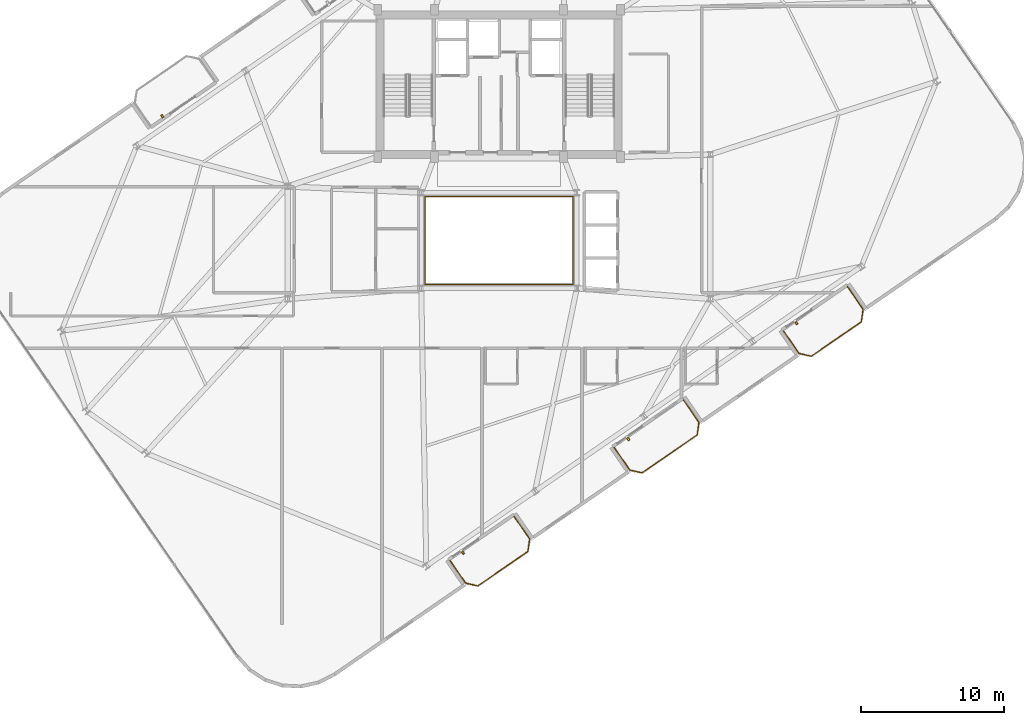
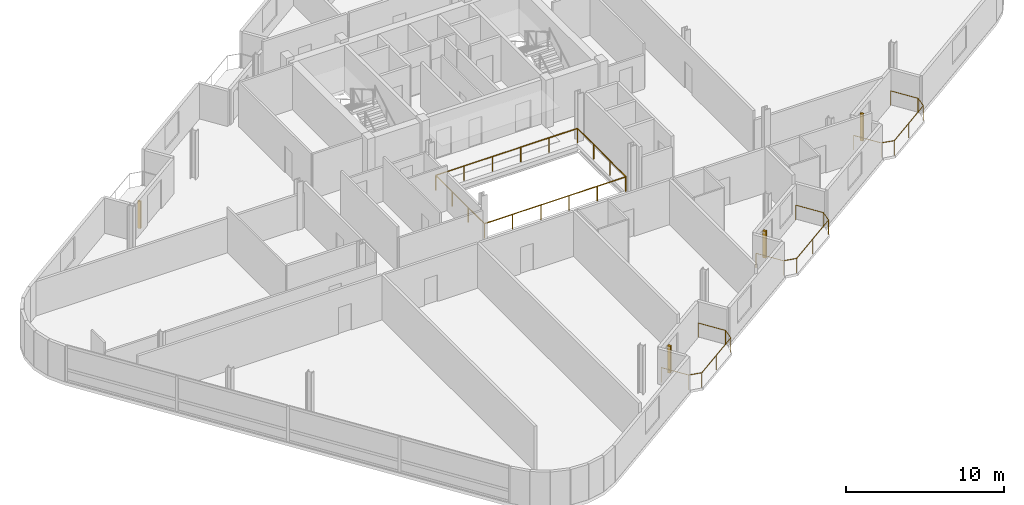
# One storey, part 19 of 21: 5 railings, 4 shading devices.
"""IFC4 building model written with IfcOpenShell, lengths in metres."""

import ifcopenshell
import ifcopenshell.guid

model = None  # the IFC model being written
_history = None  # IfcOwnerHistory: only IFC2X3 demands one
_inside = {}  # id of a spatial element -> (the spatial element, [elements in it])
_under = {}  # id of a project, library or spatial element -> (it, [spatial elements below it])
_declared = {}  # id of a project -> (the project, [libraries it declares])
_typed = {}  # id of a type object -> (the type object, [elements of that type])
_made_of = {}  # id of a material, layer set ... -> (it, [elements and type objects made of it])


def new_model(schema):
    """Start an empty IFC model of exactly this schema.

    Asked for "IFC4X3", IfcOpenShell would pick the latest addendum, in which some entities
    have other attributes; the version numbers below select the first issue.
    IFC2X3 requires an IfcOwnerHistory on every rooted entity: one is made here for all.
    """
    global model, _history
    if schema == "IFC4X3":
        model = ifcopenshell.file(schema_version=(4, 3, 0, 0))
    else:
        model = ifcopenshell.file(schema=schema)
    _inside.clear()
    _under.clear()
    _declared.clear()
    _typed.clear()
    _made_of.clear()
    _history = None
    if model.schema == "IFC2X3":
        org = make("IfcOrganization", Name="unknown")
        user = make(
            "IfcPersonAndOrganization",
            ThePerson=make("IfcPerson", FamilyName="unknown"),
            TheOrganization=org,
        )
        app = make(
            "IfcApplication",
            ApplicationDeveloper=org,
            Version="unknown",
            ApplicationFullName="unknown",
            ApplicationIdentifier="unknown",
        )
        _history = make(
            "IfcOwnerHistory",
            OwningUser=user,
            OwningApplication=app,
            ChangeAction="ADDED",
            CreationDate=0,
        )
    return model


def make(cls, **values):
    """One entity of the class cls with the attributes given. An attribute that is None is left unset."""
    return model.create_entity(
        cls, **{name: value for name, value in values.items() if value is not None}
    )


def rooted(cls, **values):
    """An entity with a GlobalId (a new one), such as an element, a storey or a relation."""
    return make(cls, GlobalId=ifcopenshell.guid.new(), OwnerHistory=_history, **values)


def si_unit(unit_type, name, prefix=None):
    """IfcSIUnit, for example si_unit("LENGTHUNIT", "METRE", prefix="MILLI")."""
    return make("IfcSIUnit", UnitType=unit_type, Prefix=prefix, Name=name)


def assignment(units):
    """IfcUnitAssignment: the units of a project."""
    return None if units is None else make("IfcUnitAssignment", Units=units)


def point(xyz):
    """IfcCartesianPoint."""
    return None if xyz is None else make("IfcCartesianPoint", Coordinates=xyz)


def direction(xyz):
    """IfcDirection."""
    return None if xyz is None else make("IfcDirection", DirectionRatios=xyz)


def frame(location, z_axis=None, x_axis=None):
    """IfcAxis2Placement3D, a coordinate frame: its origin and axes. An axis left out is left unset."""
    return make(
        "IfcAxis2Placement3D",
        Location=point(location),
        Axis=direction(z_axis),
        RefDirection=direction(x_axis),
    )


def frame_2d(location, x_axis=None):
    """IfcAxis2Placement2D, a coordinate frame in the plane: its origin and x axis."""
    return make(
        "IfcAxis2Placement2D", Location=point(location), RefDirection=direction(x_axis)
    )


def origin():
    """The frame at (0, 0, 0) with its axes left unset."""
    return frame((0.0, 0.0, 0.0))


def origin_2d():
    """The frame at (0, 0) in the plane with its x axis left unset."""
    return frame_2d((0.0, 0.0))


def place(relative_to, where):
    """IfcLocalPlacement: puts the frame where relative to a parent placement (None: the world)."""
    return make(
        "IfcLocalPlacement", PlacementRelTo=relative_to, RelativePlacement=where
    )


def context(
    kind, dimensions, precision=None, world=None, true_north=None, identifier=None
):
    """IfcGeometricRepresentationContext, for example the 3D "Model" context."""
    return make(
        "IfcGeometricRepresentationContext",
        ContextIdentifier=identifier,
        ContextType=kind,
        CoordinateSpaceDimension=dimensions,
        Precision=precision,
        WorldCoordinateSystem=world,
        TrueNorth=true_north,
    )


def subcontext(parent, identifier, kind, view, scale=None):
    """IfcGeometricRepresentationSubContext, for example "Body" below "Model"."""
    return make(
        "IfcGeometricRepresentationSubContext",
        ContextIdentifier=identifier,
        ContextType=kind,
        ParentContext=parent,
        TargetScale=scale,
        TargetView=view,
    )


def project(units=None, contexts=None):
    """IfcProject with its units and contexts."""
    return rooted(
        "IfcProject",
        Name="project",
        RepresentationContexts=contexts,
        UnitsInContext=assignment(units),
    )


def spatial(cls, under=None, at=None, **own):
    """A site, building, storey or space (cls), placed at a placement, below another one or the project."""
    s = rooted(cls, ObjectPlacement=at, **own)
    if under is not None:
        _under.setdefault(under.id(), (under, []))[1].append(s)
    return s


def profile(cls, at=None, kind="AREA", **sizes):
    """A parametric profile (cls). Its sizes go by their IFC names, for example OverallWidth=200.0."""
    return make(cls, ProfileType=kind, Position=at, **sizes)


def rectangle(**sizes):
    """IfcRectangleProfileDef."""
    return profile("IfcRectangleProfileDef", **sizes)


def circle(**sizes):
    """IfcCircleProfileDef."""
    return profile("IfcCircleProfileDef", **sizes)


def extrude(swept, where, along, depth):
    """IfcExtrudedAreaSolid: the profile swept, set in the frame where, extruded along a direction by depth."""
    return make(
        "IfcExtrudedAreaSolid",
        SweptArea=swept,
        Position=where,
        ExtrudedDirection=direction(along),
        Depth=depth,
    )


def shape(context_of_items, identifier, shape_type, items):
    """IfcShapeRepresentation: the items that make up one representation, for example the "Body"."""
    return make(
        "IfcShapeRepresentation",
        ContextOfItems=context_of_items,
        RepresentationIdentifier=identifier,
        RepresentationType=shape_type,
        Items=items,
    )


def source(mapping_origin, context_of_items, identifier, shape_type, items):
    """IfcRepresentationMap: a shape defined once, which mapped items show again and again."""
    return make(
        "IfcRepresentationMap",
        MappingOrigin=mapping_origin,
        MappedRepresentation=shape(context_of_items, identifier, shape_type, items),
    )


def transform(
    local_origin,
    x_axis=None,
    y_axis=None,
    z_axis=None,
    scale=None,
    scale2=None,
    scale3=None,
    uniform=True,
):
    """IfcCartesianTransformationOperator3D, or its non-uniform kind. x_axis, y_axis, z_axis: its Axis1, 2, 3."""
    if uniform:
        return make(
            "IfcCartesianTransformationOperator3D",
            Axis1=direction(x_axis),
            Axis2=direction(y_axis),
            LocalOrigin=point(local_origin),
            Scale=scale,
            Axis3=direction(z_axis),
        )
    return make(
        "IfcCartesianTransformationOperator3DnonUniform",
        Axis1=direction(x_axis),
        Axis2=direction(y_axis),
        LocalOrigin=point(local_origin),
        Scale=scale,
        Axis3=direction(z_axis),
        Scale2=scale2,
        Scale3=scale3,
    )


def mapped(mapping_source, mapping_target):
    """IfcMappedItem: shows the shape of a source again, moved by a transform."""
    return make(
        "IfcMappedItem", MappingSource=mapping_source, MappingTarget=mapping_target
    )


def material(Name=None, Category=None):
    """IfcMaterial."""
    return make("IfcMaterial", Name=Name, Category=Category)


def made_of(thing, what):
    """Note that an element or type object is made of a material, layer set ...; save() writes the relation."""
    if what is not None:
        _made_of.setdefault(what.id(), (what, []))[1].append(thing)
    return thing


def type_object(cls, material=None, **own):
    """A type object (cls), such as IfcWallType, which elements share."""
    return made_of(rooted(cls, **own), material)


def element(
    cls,
    number,
    at=None,
    inside=None,
    cuts=None,
    type_object=None,
    material=None,
    context=None,
    identifier="Body",
    shape_type=None,
    held_by="IfcProductDefinitionShape",
    body=None,
    shapes=None,
    **own,
):
    """One element of the class cls, such as IfcWall. Its Tag is "e" and its number.

    at: its placement. inside: the storey or other place that contains it. cuts: it is an
    opening in that element (IfcRelVoidsElement). A single representation is given by context,
    identifier, shape_type and body (its items); several are given by shapes. held_by: the class
    of the entity that holds the representations. save() writes the other relations.
    """
    e = rooted(cls, Tag="e%d" % number, ObjectPlacement=at, **own)
    if body is not None:
        shapes = [shape(context, identifier, shape_type, body)]
    if shapes is not None:
        e.Representation = make(held_by, Representations=shapes)
    if inside is not None:
        _inside.setdefault(inside.id(), (inside, []))[1].append(e)
    if cuts is not None:
        rooted(
            "IfcRelVoidsElement", RelatingBuildingElement=cuts, RelatedOpeningElement=e
        )
    if type_object is not None:
        _typed.setdefault(type_object.id(), (type_object, []))[1].append(e)
    return made_of(e, material)


def aggregate(whole, parts):
    """IfcRelAggregates: a whole, such as a stair, and the parts it consists of."""
    return rooted("IfcRelAggregates", RelatingObject=whole, RelatedObjects=parts)


def save(model, path):
    """Write the relations noted so far, then the file.

    IfcRelAggregates (storeys below a building ...), IfcRelContainedInSpatialStructure (elements
    in a storey), IfcRelDefinesByType, IfcRelAssociatesMaterial and IfcRelDeclares: one each for
    every whole, place, type object, material and project.
    """
    for whole, parts in _under.values():
        aggregate(whole, parts)
    for where, things in _inside.values():
        rooted(
            "IfcRelContainedInSpatialStructure",
            RelatedElements=things,
            RelatingStructure=where,
        )
    for kind, things in _typed.values():
        rooted("IfcRelDefinesByType", RelatedObjects=things, RelatingType=kind)
    for what, things in _made_of.values():
        rooted("IfcRelAssociatesMaterial", RelatedObjects=things, RelatingMaterial=what)
    for by, libraries in _declared.values():
        rooted("IfcRelDeclares", RelatingContext=by, RelatedDefinitions=libraries)
    model.write(path)


model = new_model("IFC4")

# Units and contexts
model_context = context("Model", 3, precision=1e-05, world=origin(), true_north=direction((0.0, 1.0)))
body_context = subcontext(model_context, "Body", "Model", "MODEL_VIEW")
ifc_project = project(units=[si_unit("LENGTHUNIT", "METRE"), si_unit("AREAUNIT", "SQUARE_METRE"), si_unit("VOLUMEUNIT", "CUBIC_METRE"), si_unit("PLANEANGLEUNIT", "RADIAN"), si_unit("MASSUNIT", "GRAM", prefix="KILO")], contexts=[model_context])

# Site, building, storey
site_placement = place(None, origin())
site = spatial("IfcSite", under=ifc_project, at=site_placement, CompositionType="ELEMENT")
building_placement = place(site_placement, origin())
building = spatial("IfcBuilding", under=site, at=building_placement, Name="Varnelok Gate Tower", CompositionType="ELEMENT")
storey_placement = place(building_placement, frame((0.0, 0.0, 265.60009765625)))
storey = spatial("IfcBuildingStorey", under=building, at=storey_placement, Name="L68", CompositionType="ELEMENT", Elevation=265.60009765625)

# Railings
ifc_material_1 = material(Name="Tempered Laminated Balustrade Glass", Category="glass")
railing_type_1 = type_object("IfcRailingType", Name="RL-ATR-GUARD1150", PredefinedType="GUARDRAIL", material=ifc_material_1)
railing_1_placement = place(storey_placement, frame((34.02001953125, 25.929931640625, 0.0)))
element("IfcRailing", 1, at=railing_1_placement, inside=storey, type_object=railing_type_1, Name="L68 Internal Atrium South-West Guardrail", PredefinedType="GUARDRAIL", context=body_context, shape_type="SweptSolid", body=[
    extrude(circle(Radius=0.02392578125, at=origin_2d()), frame((0.0, 0.0, 1.1259765625), z_axis=(0.0, -1.0, 0.0), x_axis=(1.0, 0.0, 0.0)), (0.0, 0.0, 1.0), 6.10986328125),
    extrude(circle(Radius=0.02392578125, at=origin_2d()), frame((0.0, -6.10986328125, 1.1259765625), z_axis=(1.0, 0.0, 0.0), x_axis=(0.0, 1.0, 0.0)), (0.0, 0.0, 1.0), 10.31005859375),
    extrude(circle(Radius=0.02099609375, at=origin_2d()), origin(), (0.0, 0.0, 1.0), 1.101806640625),
    extrude(circle(Radius=0.02099609375, at=origin_2d()), frame((0.0, -2.03662109375, 0.0)), (0.0, 0.0, 1.0), 1.101806640625),
    extrude(circle(Radius=0.02099609375, at=origin_2d()), frame((0.0, -4.0732421875, 0.0)), (0.0, 0.0, 1.0), 1.101806640625),
    extrude(circle(Radius=0.02099609375, at=origin_2d()), frame((0.0, -6.10986328125, 0.0)), (0.0, 0.0, 1.0), 1.101806640625),
    extrude(circle(Radius=0.02099609375, at=origin_2d()), frame((2.06201171875, -6.10986328125, 0.0)), (0.0, 0.0, 1.0), 1.101806640625),
    extrude(circle(Radius=0.02099609375, at=origin_2d()), frame((4.1240234375, -6.10986328125, 0.0)), (0.0, 0.0, 1.0), 1.101806640625),
    extrude(circle(Radius=0.02099609375, at=origin_2d()), frame((6.18603515625, -6.10986328125, 0.0)), (0.0, 0.0, 1.0), 1.101806640625),
    extrude(circle(Radius=0.02099609375, at=origin_2d()), frame((8.248046875, -6.10986328125, 0.0)), (0.0, 0.0, 1.0), 1.101806640625),
    extrude(circle(Radius=0.02099609375, at=origin_2d()), frame((10.31005859375, -6.10986328125, 0.0)), (0.0, 0.0, 1.0), 1.101806640625),
])
railing_2_placement = place(storey_placement, frame((44.3798828125, 19.820068359375, 0.0)))
element("IfcRailing", 2, at=railing_2_placement, inside=storey, type_object=railing_type_1, Name="L68 Internal Atrium North-East Guardrail", PredefinedType="GUARDRAIL", context=body_context, shape_type="SweptSolid", body=[
    extrude(circle(Radius=0.02392578125, at=origin_2d()), frame((0.0, 0.0, 1.1259765625), z_axis=(0.0, 1.0, 0.0), x_axis=(-1.0, 0.0, 0.0)), (0.0, 0.0, 1.0), 6.159912109375),
    extrude(circle(Radius=0.02392578125, at=origin_2d()), frame((0.0, 6.159912109375, 1.1259765625), z_axis=(-1.0, 0.0, 0.0), x_axis=(0.0, -1.0, 0.0)), (0.0, 0.0, 1.0), 10.35986328125),
    extrude(circle(Radius=0.02099609375, at=origin_2d()), origin(), (0.0, 0.0, 1.0), 1.101806640625),
    extrude(circle(Radius=0.02099609375, at=origin_2d()), frame((0.0, 2.05322265625, 0.0)), (0.0, 0.0, 1.0), 1.101806640625),
    extrude(circle(Radius=0.02099609375, at=origin_2d()), frame((0.0, 4.106689453125, 0.0)), (0.0, 0.0, 1.0), 1.101806640625),
    extrude(circle(Radius=0.02099609375, at=origin_2d()), frame((0.0, 6.159912109375, 0.0)), (0.0, 0.0, 1.0), 1.101806640625),
    extrude(circle(Radius=0.02099609375, at=origin_2d()), frame((-2.072021484375, 6.159912109375, 0.0)), (0.0, 0.0, 1.0), 1.101806640625),
    extrude(circle(Radius=0.02099609375, at=origin_2d()), frame((-4.14404296875, 6.159912109375, 0.0)), (0.0, 0.0, 1.0), 1.101806640625),
    extrude(circle(Radius=0.02099609375, at=origin_2d()), frame((-6.2158203125, 6.159912109375, 0.0)), (0.0, 0.0, 1.0), 1.101806640625),
    extrude(circle(Radius=0.02099609375, at=origin_2d()), frame((-8.287841796875, 6.159912109375, 0.0)), (0.0, 0.0, 1.0), 1.101806640625),
    extrude(circle(Radius=0.02099609375, at=origin_2d()), frame((-10.35986328125, 6.159912109375, 0.0)), (0.0, 0.0, 1.0), 1.101806640625),
])
ifc_material_2 = material(Name="Low-E Laminated Double Glazing IGU", Category="glass")
railing_type_2 = type_object("IfcRailingType", Name="RL-BALC-1150", PredefinedType="BALUSTRADE", material=ifc_material_2)
railing_3_placement = place(storey_placement, frame((35.77099609375, 0.473876953125, 0.0)))
element("IfcRailing", 3, at=railing_3_placement, inside=storey, type_object=railing_type_2, Name="L68 South Terrace Balustrade 1", PredefinedType="BALUSTRADE", context=body_context, shape_type="SweptSolid", body=[
    extrude(circle(Radius=0.02392578125, at=origin_2d()), frame((0.0, 0.0, 1.1259765625), z_axis=(0.567224752248, -0.823563039747, 0.0), x_axis=(0.823563039747, 0.567224752248, 0.0)), (0.0, 0.0, 1.0), 1.920166015625),
    extrude(circle(Radius=0.02392578125, at=origin_2d()), frame((1.089111328125, -1.581298828125, 1.1259765625), z_axis=(0.973526462254, -0.228574336467, 0.0), x_axis=(0.228574336467, 0.973526462254, 0.0)), (0.0, 0.0, 1.0), 0.8779296875),
    extrude(circle(Radius=0.02392578125, at=origin_2d()), frame((1.94384765625, -1.781982421875, 1.1259765625), z_axis=(0.823512353028, 0.5672983381, 0.0), x_axis=(-0.5672983381, 0.823512353028, 0.0)), (0.0, 0.0, 1.0), 4.26708984375),
    extrude(circle(Radius=0.02392578125, at=origin_2d()), frame((5.457763671875, 0.638671875, 1.1259765625), z_axis=(0.133475040405, 0.991052175008, 0.0), x_axis=(-0.991052175008, 0.133475040405, 0.0)), (0.0, 0.0, 1.0), 0.8779296875),
    extrude(circle(Radius=0.02392578125, at=origin_2d()), frame((5.574951171875, 1.5087890625, 1.1259765625), z_axis=(-0.567284155424, 0.82352212296, 0.0), x_axis=(-0.82352212296, -0.567284155424, 0.0)), (0.0, 0.0, 1.0), 1.919921875),
    extrude(circle(Radius=0.02099609375, at=origin_2d()), origin(), (0.0, 0.0, 1.0), 1.101806640625),
    extrude(circle(Radius=0.02099609375, at=origin_2d()), frame((1.089111328125, -1.581298828125, 0.0)), (0.0, 0.0, 1.0), 1.101806640625),
    extrude(circle(Radius=0.02099609375, at=origin_2d()), frame((1.94384765625, -1.781982421875, 0.0)), (0.0, 0.0, 1.0), 1.101806640625),
    extrude(circle(Radius=0.02099609375, at=origin_2d()), frame((3.70068359375, -0.57177734375, 0.0)), (0.0, 0.0, 1.0), 1.101806640625),
    extrude(circle(Radius=0.02099609375, at=origin_2d()), frame((5.457763671875, 0.638671875, 0.0)), (0.0, 0.0, 1.0), 1.101806640625),
    extrude(circle(Radius=0.02099609375, at=origin_2d()), frame((5.574951171875, 1.5087890625, 0.0)), (0.0, 0.0, 1.0), 1.101806640625),
    extrude(circle(Radius=0.02099609375, at=origin_2d()), frame((4.48583984375, 3.08984375, 0.0)), (0.0, 0.0, 1.0), 1.101806640625),
])
railing_4_placement = place(storey_placement, frame((47.273193359375, 8.39697265625, 0.0)))
element("IfcRailing", 4, at=railing_4_placement, inside=storey, type_object=railing_type_2, Name="L68 South Terrace Balustrade 2", PredefinedType="BALUSTRADE", context=body_context, shape_type="SweptSolid", body=[
    extrude(circle(Radius=0.02392578125, at=origin_2d()), frame((0.0, 0.0, 1.1259765625), z_axis=(0.567224752248, -0.823563039747, 0.0), x_axis=(0.823563039747, 0.567224752248, 0.0)), (0.0, 0.0, 1.0), 1.920166015625),
    extrude(circle(Radius=0.02392578125, at=origin_2d()), frame((1.089111328125, -1.581298828125, 1.1259765625), z_axis=(0.973526462254, -0.228574336467, 0.0), x_axis=(0.228574336467, 0.973526462254, 0.0)), (0.0, 0.0, 1.0), 0.8779296875),
    extrude(circle(Radius=0.02392578125, at=origin_2d()), frame((1.94384765625, -1.781982421875, 1.1259765625), z_axis=(0.823523239622, 0.567282534371, 0.0), x_axis=(-0.567282534371, 0.823523239622, 0.0)), (0.0, 0.0, 1.0), 4.699951171875),
    extrude(circle(Radius=0.02392578125, at=origin_2d()), frame((5.814453125, 0.88427734375, 1.1259765625), z_axis=(0.133511834152, 0.991047218926, 0.0), x_axis=(-0.991047218926, 0.133511834152, 0.0)), (0.0, 0.0, 1.0), 0.877685546875),
    extrude(circle(Radius=0.02392578125, at=origin_2d()), frame((5.931640625, 1.754150390625, 1.1259765625), z_axis=(-0.567224752248, 0.823563039747, 0.0), x_axis=(-0.823563039747, -0.567224752248, 0.0)), (0.0, 0.0, 1.0), 1.920166015625),
    extrude(circle(Radius=0.02099609375, at=origin_2d()), origin(), (0.0, 0.0, 1.0), 1.101806640625),
    extrude(circle(Radius=0.02099609375, at=origin_2d()), frame((1.089111328125, -1.581298828125, 0.0)), (0.0, 0.0, 1.0), 1.101806640625),
    extrude(circle(Radius=0.02099609375, at=origin_2d()), frame((1.94384765625, -1.781982421875, 0.0)), (0.0, 0.0, 1.0), 1.101806640625),
    extrude(circle(Radius=0.02099609375, at=origin_2d()), frame((3.879150390625, -0.44873046875, 0.0)), (0.0, 0.0, 1.0), 1.101806640625),
    extrude(circle(Radius=0.02099609375, at=origin_2d()), frame((5.814453125, 0.88427734375, 0.0)), (0.0, 0.0, 1.0), 1.101806640625),
    extrude(circle(Radius=0.02099609375, at=origin_2d()), frame((5.931640625, 1.754150390625, 0.0)), (0.0, 0.0, 1.0), 1.101806640625),
    extrude(circle(Radius=0.02099609375, at=origin_2d()), frame((4.842529296875, 3.33544921875, 0.0)), (0.0, 0.0, 1.0), 1.101806640625),
])
railing_5_placement = place(storey_placement, frame((59.132080078125, 16.5654296875, 0.0)))
element("IfcRailing", 5, at=railing_5_placement, inside=storey, type_object=railing_type_2, Name="L68 South Terrace Balustrade 3", PredefinedType="BALUSTRADE", context=body_context, shape_type="SweptSolid", body=[
    extrude(circle(Radius=0.02392578125, at=origin_2d()), frame((0.0, 0.0, 1.1259765625), z_axis=(0.567284155424, -0.82352212296, 0.0), x_axis=(0.82352212296, 0.567284155424, 0.0)), (0.0, 0.0, 1.0), 1.919921875),
    extrude(circle(Radius=0.02392578125, at=origin_2d()), frame((1.089111328125, -1.5810546875, 1.1259765625), z_axis=(0.973526462254, -0.228574336467, 0.0), x_axis=(0.228574336467, 0.973526462254, 0.0)), (0.0, 0.0, 1.0), 0.8779296875),
    extrude(circle(Radius=0.02392578125, at=origin_2d()), frame((1.94384765625, -1.78173828125, 1.1259765625), z_axis=(0.823512353028, 0.5672983381, 0.0), x_axis=(-0.5672983381, 0.823512353028, 0.0)), (0.0, 0.0, 1.0), 4.26708984375),
    extrude(circle(Radius=0.02392578125, at=origin_2d()), frame((5.457763671875, 0.638916015625, 1.1259765625), z_axis=(0.133511834152, 0.991047218926, 0.0), x_axis=(-0.991047218926, 0.133511834152, 0.0)), (0.0, 0.0, 1.0), 0.877685546875),
    extrude(circle(Radius=0.02392578125, at=origin_2d()), frame((5.574951171875, 1.5087890625, 1.1259765625), z_axis=(-0.567224752248, 0.823563039747, 0.0), x_axis=(-0.823563039747, -0.567224752248, 0.0)), (0.0, 0.0, 1.0), 1.920166015625),
    extrude(circle(Radius=0.02099609375, at=origin_2d()), origin(), (0.0, 0.0, 1.0), 1.101806640625),
    extrude(circle(Radius=0.02099609375, at=origin_2d()), frame((1.089111328125, -1.5810546875, 0.0)), (0.0, 0.0, 1.0), 1.101806640625),
    extrude(circle(Radius=0.02099609375, at=origin_2d()), frame((1.94384765625, -1.78173828125, 0.0)), (0.0, 0.0, 1.0), 1.101806640625),
    extrude(circle(Radius=0.02099609375, at=origin_2d()), frame((3.70068359375, -0.5712890625, 0.0)), (0.0, 0.0, 1.0), 1.101806640625),
    extrude(circle(Radius=0.02099609375, at=origin_2d()), frame((5.457763671875, 0.638916015625, 0.0)), (0.0, 0.0, 1.0), 1.101806640625),
    extrude(circle(Radius=0.02099609375, at=origin_2d()), frame((5.574951171875, 1.5087890625, 0.0)), (0.0, 0.0, 1.0), 1.101806640625),
    extrude(circle(Radius=0.02099609375, at=origin_2d()), frame((4.48583984375, 3.090087890625, 0.0)), (0.0, 0.0, 1.0), 1.101806640625),
])

# Shading devices
ifc_material_3 = material(Name="Glazed Architectural Terracotta Ceramic", Category="masonry")
shading_device_type = type_object("IfcShadingDeviceType", Name="SHD-TERRA-BAGUETTE", PredefinedType="USERDEFINED", material=ifc_material_3)
shared_shape = source(origin(), body_context, "Body", "SweptSolid", [
    extrude(rectangle(XDim=0.139892578125, YDim=0.219970703125, at=origin_2d()), origin(), (0.0, 0.0, 1.0), 2.10009765625),
])
for number, where, z_axis, x_axis, name in (
    (6, (36.67822265625, 1.013671875, 0.099853515625), (0.0, 0.0, 1.0), (0.823532597628, 0.567268949127, 0.0), "L68 Terracotta Ceramic Baguette Sunscreen 1.1"),
    (7, (48.251708984375, 8.98583984375, 0.099853515625), (0.0, 0.0, 1.0), (0.823532597628, 0.567268949127, 0.0), "L68 Terracotta Ceramic Baguette Sunscreen 2.1"),
    (8, (60.039306640625, 17.10546875, 0.099853515625), (0.0, 0.0, 1.0), (0.823532597628, 0.567268949127, 0.0), "L68 Terracotta Ceramic Baguette Sunscreen 3.1"),
    (9, (15.60986328125, 31.599609375, 0.099853515625), (0.0, 0.0, 1.0), (0.823532597628, 0.567268949127, 0.0), "L68 Terracotta Ceramic Baguette Sunscreen 4.1"),
):
    element("IfcShadingDevice", number, at=place(storey_placement, frame(where, z_axis=z_axis, x_axis=x_axis)), inside=storey, type_object=shading_device_type, Name=name, ObjectType="BAGUETTE", PredefinedType="USERDEFINED", context=body_context, shape_type="MappedRepresentation", body=[
        mapped(shared_shape, transform((0.0, 0.0, 0.0), scale=1.0)),
    ])

save(model, "model.ifc")
